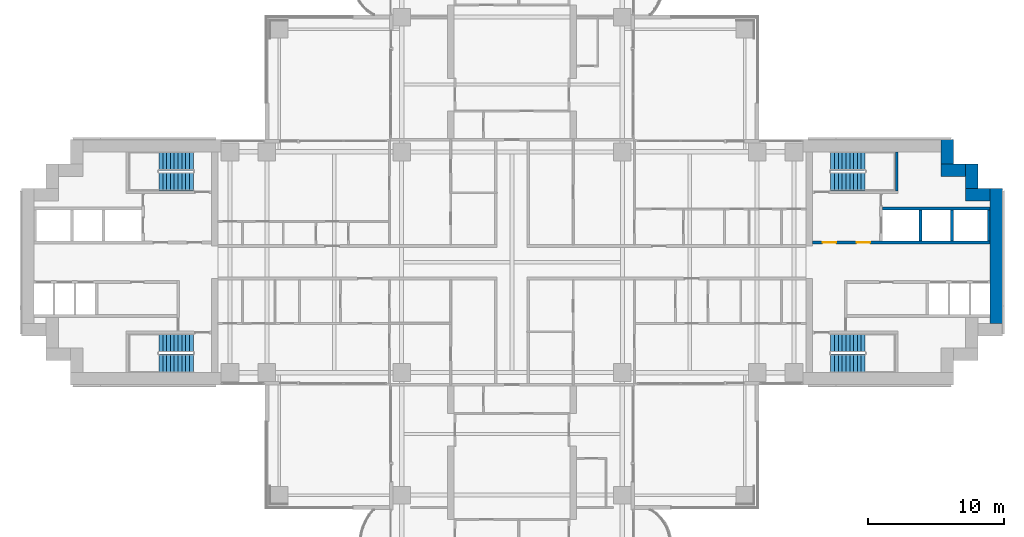
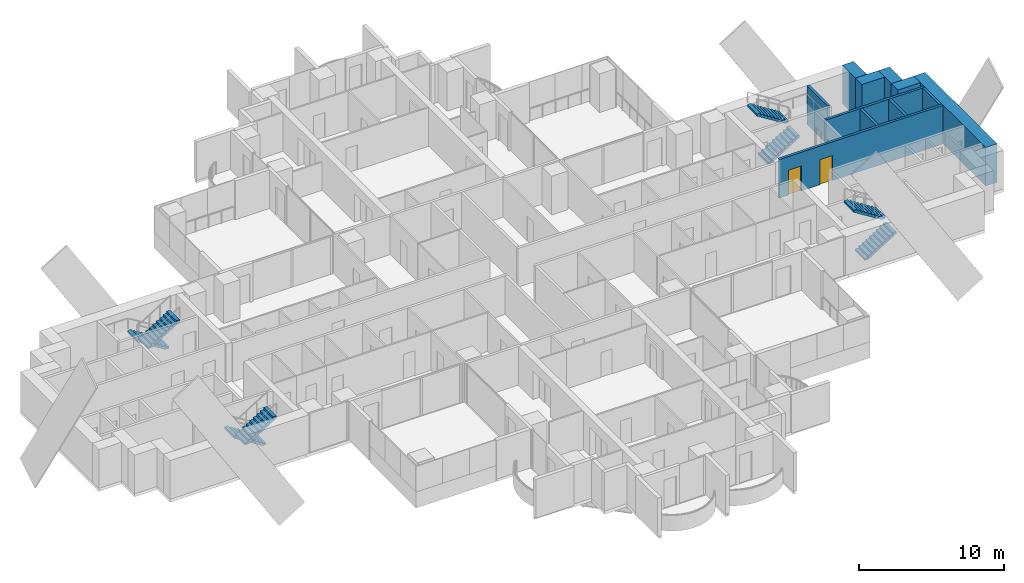
# One storey, part 17 of 22: 11 walls, 8 stair flights, 2 doors, 2 openings, 4 elements without a shape of their own.
"""IFC4 building model written with IfcOpenShell, lengths in metres."""

from ifc_helpers import new_model, si_unit, direction, frame, frame_2d, origin, place, context, subcontext, project, spatial, polyline, rectangle, outline, extrude, material, layer, layer_set, type_object, element, fill, aggregate, save


model = new_model("IFC4")

# Units and contexts
model_context = context("Model", 3, precision=1e-05, world=origin(), true_north=direction((0.0, 1.0)))
body_context = subcontext(model_context, "Body", "Model", "MODEL_VIEW")
ifc_project = project(units=[si_unit("LENGTHUNIT", "METRE"), si_unit("AREAUNIT", "SQUARE_METRE"), si_unit("VOLUMEUNIT", "CUBIC_METRE"), si_unit("PLANEANGLEUNIT", "RADIAN"), si_unit("MASSUNIT", "GRAM", prefix="KILO")], contexts=[model_context])

# Site, building, storey
site_placement = place(None, origin())
site = spatial("IfcSite", under=ifc_project, at=site_placement, CompositionType="ELEMENT")
building_placement = place(site_placement, origin())
building = spatial("IfcBuilding", under=site, at=building_placement, Name="Perihelion Cross Residences", CompositionType="ELEMENT")
storey_placement = place(building_placement, frame((0.0, 0.0, 50.5)))
storey = spatial("IfcBuildingStorey", under=building, at=storey_placement, Name="L09", CompositionType="ELEMENT", Elevation=50.5)

# Walls
ifc_material_1 = material(Name="Concrete C60/75", Category="concrete")
ifc_layer_1 = layer(ifc_material_1, 0.89990234375)
ifc_layer_set_1 = layer_set([ifc_layer_1], Name="Core wall, outer 900")
wall_type_1 = type_object("IfcWallType", Name="Core wall, outer 900", PredefinedType="SHEAR", material=ifc_layer_set_1)
wall_1_placement = place(storey_placement, frame((35.550048828125, -4.5, 0.0), z_axis=(0.0, 0.0, 1.0), x_axis=(0.0, 1.0, 0.0)))
element("IfcWall", 1, at=wall_1_placement, inside=storey, type_object=wall_type_1, Name="East core core wall, outer", PredefinedType="SHEAR", context=body_context, shape_type="SweptSolid", body=[
    extrude(rectangle(XDim=9.89990234375, YDim=0.89990234375, at=frame_2d((4.949951171875, 0.0))), origin(), (0.0, 0.0, 1.0), 3.25),
])
for number, where, z_axis, x_axis, name in (
    (2, (33.300048828125, 4.949951171875, 0.0), (0.0, 0.0, 1.0), (1.0, 0.0, 0.0), "East core core wall, outer"),
    (3, (33.75, 5.39990234375, 0.0), (0.0, 0.0, 1.0), (0.0, 1.0, 0.0), "East core core wall, outer"),
    (4, (31.5, 6.75, 0.0), (0.0, 0.0, 1.0), (1.0, 0.0, 0.0), "East core core wall, outer"),
    (5, (31.949951171875, 7.199951171875, 0.0), (0.0, 0.0, 1.0), (0.0, 1.0, 0.0), "East core core wall, outer"),
):
    element("IfcWall", number, at=place(storey_placement, frame(where, z_axis=z_axis, x_axis=x_axis)), inside=storey, type_object=wall_type_1, Name=name, PredefinedType="SHEAR", context=body_context, shape_type="SweptSolid", body=[
        extrude(rectangle(XDim=1.800048828125, YDim=0.89990234375, at=frame_2d((0.89990234375, 0.0))), origin(), (0.0, 0.0, 1.0), 3.25),
    ])

# Wall, openings, doors
ifc_material_2 = material(Name="Concrete C50/60", Category="concrete")
ifc_layer_2 = layer(ifc_material_2, 0.199951171875)
ifc_layer_set_2 = layer_set([ifc_layer_2], Name="Shaft wall 200")
wall_type_2 = type_object("IfcWallType", Name="Shaft wall 200", PredefinedType="SOLIDWALL", material=ifc_layer_set_2)
wall_2_placement = place(storey_placement, frame((22.050048828125, 1.449951171875, 0.0), z_axis=(0.0, 0.0, 1.0), x_axis=(1.0, 0.0, 0.0)))
wall_2 = element("IfcWall", 6, at=wall_2_placement, inside=storey, type_object=wall_type_2, Name="East core shaft wall", PredefinedType="SOLIDWALL", context=body_context, shape_type="SweptSolid", body=[
    extrude(rectangle(XDim=13.050048828125, YDim=0.199951171875, at=frame_2d((6.52490234375, 0.0))), origin(), (0.0, 0.0, 1.0), 3.25),
])
opening_1_placement = place(wall_2_placement, frame((0.75, 0.0, 0.0)))
opening_1 = element("IfcOpeningElement", 7, at=opening_1_placement, cuts=wall_2, Name="Opening L09.C07", PredefinedType="OPENING", context=body_context, shape_type="SweptSolid", body=[
    extrude(rectangle(XDim=1.0, YDim=2.10009765625, at=frame_2d((0.5, 1.050048828125))), frame((0.0, 0.10986328125, 0.0), z_axis=(0.0, -1.0, 0.0), x_axis=(1.0, 0.0, 0.0)), (0.0, 0.0, 1.0), 0.219970703125),
])
opening_2_placement = place(wall_2_placement, frame((3.25, 0.0, 0.0)))
opening_2 = element("IfcOpeningElement", 8, at=opening_2_placement, cuts=wall_2, Name="Opening L09.C09", PredefinedType="OPENING", context=body_context, shape_type="SweptSolid", body=[
    extrude(rectangle(XDim=1.0, YDim=2.10009765625, at=frame_2d((0.5, 1.050048828125))), frame((0.0, 0.10986328125, 0.0), z_axis=(0.0, -1.0, 0.0), x_axis=(1.0, 0.0, 0.0)), (0.0, 0.0, 1.0), 0.219970703125),
])
ifc_material_3 = material(Name="Steel, powder coated", Category="steel")
door_type = type_object("IfcDoorType", Name="Lobby door 1000", OperationType="SINGLE_SWING_LEFT", PredefinedType="DOOR", material=ifc_material_3)
door_1_placement = place(opening_1_placement, origin())
door_1 = element("IfcDoor", 9, at=door_1_placement, inside=storey, type_object=door_type, Name="East core firefighting lobby door", OperationType="SINGLE_SWING_LEFT", OverallHeight=2.10009765625, OverallWidth=1.0, PredefinedType="DOOR", context=body_context, shape_type="SweptSolid", body=[
    extrude(rectangle(XDim=1.0, YDim=2.10009765625, at=frame_2d((0.5, 1.050048828125))), frame((0.0, 0.02490234375, 0.0), z_axis=(0.0, -1.0, 0.0), x_axis=(1.0, 0.0, 0.0)), (0.0, 0.0, 1.0), 0.050048828125),
])
fill(opening_1, door_1)
door_2_placement = place(opening_2_placement, origin())
door_2 = element("IfcDoor", 10, at=door_2_placement, inside=storey, type_object=door_type, Name="East core firefighting lobby door", OperationType="SINGLE_SWING_LEFT", OverallHeight=2.10009765625, OverallWidth=1.0, PredefinedType="DOOR", context=body_context, shape_type="SweptSolid", body=[
    extrude(rectangle(XDim=1.0, YDim=2.10009765625, at=frame_2d((0.5, 1.050048828125))), frame((0.0, 0.02490234375, 0.0), z_axis=(0.0, -1.0, 0.0), x_axis=(1.0, 0.0, 0.0)), (0.0, 0.0, 1.0), 0.050048828125),
])
fill(opening_2, door_2)

# Walls
wall_3_placement = place(storey_placement, frame((27.199951171875, 3.949951171875, 0.0), z_axis=(0.0, 0.0, 1.0), x_axis=(1.0, 0.0, 0.0)))
element("IfcWall", 11, at=wall_3_placement, inside=storey, type_object=wall_type_2, Name="East core shaft wall", PredefinedType="SOLIDWALL", context=body_context, shape_type="SweptSolid", body=[
    extrude(rectangle(XDim=7.900146484375, YDim=0.199951171875, at=frame_2d((3.9501953125, 0.0))), origin(), (0.0, 0.0, 1.0), 3.25),
])
for number, where, z_axis, x_axis, name in (
    (12, (30.0, 1.550048828125, 0.0), (0.0, 0.0, 1.0), (0.0, 1.0, 0.0), "East core shaft wall"),
    (13, (32.300048828125, 1.550048828125, 0.0), (0.0, 0.0, 1.0), (0.0, 1.0, 0.0), "East core shaft wall"),
    (14, (35.0, 1.550048828125, 0.0), (0.0, 0.0, 1.0), (0.0, 1.0, 0.0), "East core shaft wall"),
):
    element("IfcWall", number, at=place(storey_placement, frame(where, z_axis=z_axis, x_axis=x_axis)), inside=storey, type_object=wall_type_2, Name=name, PredefinedType="SOLIDWALL", context=body_context, shape_type="SweptSolid", body=[
        extrude(rectangle(XDim=2.300048828125, YDim=0.199951171875, at=frame_2d((1.14990234375, 0.0))), origin(), (0.0, 0.0, 1.0), 3.25),
    ])
ifc_material_4 = material(Name="Concrete C50/60", Category="concrete")
ifc_layer_3 = layer(ifc_material_4, 0.199951171875)
ifc_layer_set_3 = layer_set([ifc_layer_3], Name="Stair wall 200")
wall_type_3 = type_object("IfcWallType", Name="Stair wall 200", PredefinedType="SOLIDWALL", material=ifc_layer_set_3)
wall_4_placement = place(storey_placement, frame((28.25, 5.25, 0.0), z_axis=(0.0, 0.0, 1.0), x_axis=(0.0, 1.0, 0.0)))
element("IfcWall", 15, at=wall_4_placement, inside=storey, type_object=wall_type_3, Name="East core stair wall", PredefinedType="SOLIDWALL", context=body_context, shape_type="SweptSolid", body=[
    extrude(rectangle(XDim=2.85009765625, YDim=0.199951171875, at=frame_2d((1.425048828125, 0.0))), origin(), (0.0, 0.0, 1.0), 3.25),
])

# Stair, stair flights
ifc_material_5 = material(Name="Concrete C40/50", Category="concrete")
stair_type = type_object("IfcStairType", Name="Exit stair, half-turn", PredefinedType="HALF_TURN_STAIR", material=ifc_material_5)
stair_1_placement = place(storey_placement, origin())
stair_1 = element("IfcStair", 16, at=stair_1_placement, inside=storey, type_object=stair_type, Name="L09 East core exit stair 1", PredefinedType="HALF_TURN_STAIR")
ifc_material_6 = material(Name="Concrete C40/50", Category="concrete")
stair_flight_type = type_object("IfcStairFlightType", Name="Exit stair flight", PredefinedType="STRAIGHT", material=ifc_material_6)
stair_flight_1_placement = place(storey_placement, frame((23.39990234375, 5.925048828125, 0.0), z_axis=(0.0, 0.0, 1.0), x_axis=(1.0, 0.0, 0.0)))
stair_flight_1 = element("IfcStairFlight", 17, at=stair_flight_1_placement, type_object=stair_flight_type, Name="ST-E1 flight 1", NumberOfRisers=10, NumberOfTreads=9, PredefinedType="STRAIGHT", RiserHeight=0.175, TreadLength=0.28, context=body_context, shape_type="SweptSolid", body=[
    extrude(outline(polyline([(0.0, 0.0), (0.0, 0.175048828125), (0.280029296875, 0.175048828125), (0.280029296875, 0.35009765625), (0.56005859375, 0.35009765625), (0.56005859375, 0.52490234375), (0.840087890625, 0.52490234375), (0.840087890625, 0.699951171875), (1.1201171875, 0.699951171875), (1.1201171875, 0.875), (1.39990234375, 0.875), (1.39990234375, 1.050048828125), (1.679931640625, 1.050048828125), (1.679931640625, 1.22509765625), (1.9599609375, 1.22509765625), (1.9599609375, 1.39990234375), (2.239990234375, 1.39990234375), (2.239990234375, 1.574951171875), (2.52001953125, 1.574951171875), (2.52001953125, 1.75), (2.52001953125, 1.398193359375), (0.28271484375, 0.0), (0.0, 0.0)])), frame((0.0, 0.675048828125, 0.0), z_axis=(0.0, -1.0, 0.0), x_axis=(1.0, 0.0, 0.0)), (0.0, 0.0, 1.0), 1.35009765625),
])
stair_flight_2_placement = place(storey_placement, frame((25.919921875, 7.425048828125, 1.75), z_axis=(0.0, 0.0, 1.0), x_axis=(-1.0, 0.0, 0.0)))
stair_flight_2 = element("IfcStairFlight", 18, at=stair_flight_2_placement, type_object=stair_flight_type, Name="ST-E1 flight 2", NumberOfRisers=10, NumberOfTreads=9, PredefinedType="STRAIGHT", RiserHeight=0.175, TreadLength=0.28, context=body_context, shape_type="SweptSolid", body=[
    extrude(outline(polyline([(0.0, 0.0), (0.0, 0.175048828125), (0.280029296875, 0.175048828125), (0.280029296875, 0.35009765625), (0.56005859375, 0.35009765625), (0.56005859375, 0.52490234375), (0.840087890625, 0.52490234375), (0.840087890625, 0.699951171875), (1.1201171875, 0.699951171875), (1.1201171875, 0.875), (1.39990234375, 0.875), (1.39990234375, 1.050048828125), (1.679931640625, 1.050048828125), (1.679931640625, 1.22509765625), (1.9599609375, 1.22509765625), (1.9599609375, 1.39990234375), (2.239990234375, 1.39990234375), (2.239990234375, 1.574951171875), (2.52001953125, 1.574951171875), (2.52001953125, 1.75), (2.52001953125, 1.398193359375), (0.28271484375, 0.0), (0.0, 0.0)])), frame((0.0, 0.675048828125, 0.0), z_axis=(0.0, -1.0, 0.0), x_axis=(1.0, 0.0, 0.0)), (0.0, 0.0, 1.0), 1.35009765625),
])
aggregate(stair_1, [stair_flight_1, stair_flight_2])

stair_2_placement = place(storey_placement, origin())
stair_2 = element("IfcStair", 19, at=stair_2_placement, inside=storey, type_object=stair_type, Name="L09 East core exit stair 2", PredefinedType="HALF_TURN_STAIR")
stair_flight_3_placement = place(storey_placement, frame((23.39990234375, -7.425048828125, 0.0), z_axis=(0.0, 0.0, 1.0), x_axis=(1.0, 0.0, 0.0)))
stair_flight_3 = element("IfcStairFlight", 20, at=stair_flight_3_placement, type_object=stair_flight_type, Name="ST-E2 flight 1", NumberOfRisers=10, NumberOfTreads=9, PredefinedType="STRAIGHT", RiserHeight=0.175, TreadLength=0.28, context=body_context, shape_type="SweptSolid", body=[
    extrude(outline(polyline([(0.0, 0.0), (0.0, 0.175048828125), (0.280029296875, 0.175048828125), (0.280029296875, 0.35009765625), (0.56005859375, 0.35009765625), (0.56005859375, 0.52490234375), (0.840087890625, 0.52490234375), (0.840087890625, 0.699951171875), (1.1201171875, 0.699951171875), (1.1201171875, 0.875), (1.39990234375, 0.875), (1.39990234375, 1.050048828125), (1.679931640625, 1.050048828125), (1.679931640625, 1.22509765625), (1.9599609375, 1.22509765625), (1.9599609375, 1.39990234375), (2.239990234375, 1.39990234375), (2.239990234375, 1.574951171875), (2.52001953125, 1.574951171875), (2.52001953125, 1.75), (2.52001953125, 1.398193359375), (0.28271484375, 0.0), (0.0, 0.0)])), frame((0.0, 0.675048828125, 0.0), z_axis=(0.0, -1.0, 0.0), x_axis=(1.0, 0.0, 0.0)), (0.0, 0.0, 1.0), 1.35009765625),
])
stair_flight_4_placement = place(storey_placement, frame((25.919921875, -5.925048828125, 1.75), z_axis=(0.0, 0.0, 1.0), x_axis=(-1.0, 0.0, 0.0)))
stair_flight_4 = element("IfcStairFlight", 21, at=stair_flight_4_placement, type_object=stair_flight_type, Name="ST-E2 flight 2", NumberOfRisers=10, NumberOfTreads=9, PredefinedType="STRAIGHT", RiserHeight=0.175, TreadLength=0.28, context=body_context, shape_type="SweptSolid", body=[
    extrude(outline(polyline([(0.0, 0.0), (0.0, 0.175048828125), (0.280029296875, 0.175048828125), (0.280029296875, 0.35009765625), (0.56005859375, 0.35009765625), (0.56005859375, 0.52490234375), (0.840087890625, 0.52490234375), (0.840087890625, 0.699951171875), (1.1201171875, 0.699951171875), (1.1201171875, 0.875), (1.39990234375, 0.875), (1.39990234375, 1.050048828125), (1.679931640625, 1.050048828125), (1.679931640625, 1.22509765625), (1.9599609375, 1.22509765625), (1.9599609375, 1.39990234375), (2.239990234375, 1.39990234375), (2.239990234375, 1.574951171875), (2.52001953125, 1.574951171875), (2.52001953125, 1.75), (2.52001953125, 1.398193359375), (0.28271484375, 0.0), (0.0, 0.0)])), frame((0.0, 0.675048828125, 0.0), z_axis=(0.0, -1.0, 0.0), x_axis=(1.0, 0.0, 0.0)), (0.0, 0.0, 1.0), 1.35009765625),
])
aggregate(stair_2, [stair_flight_3, stair_flight_4])

stair_3_placement = place(storey_placement, origin())
stair_3 = element("IfcStair", 22, at=stair_3_placement, inside=storey, type_object=stair_type, Name="L09 West core exit stair 1", PredefinedType="HALF_TURN_STAIR")
stair_flight_5_placement = place(storey_placement, frame((-23.39990234375, 7.425048828125, 0.0), z_axis=(0.0, 0.0, 1.0), x_axis=(-1.0, 0.0, 0.0)))
stair_flight_5 = element("IfcStairFlight", 23, at=stair_flight_5_placement, type_object=stair_flight_type, Name="ST-W1 flight 1", NumberOfRisers=10, NumberOfTreads=9, PredefinedType="STRAIGHT", RiserHeight=0.175, TreadLength=0.28, context=body_context, shape_type="SweptSolid", body=[
    extrude(outline(polyline([(0.0, 0.0), (0.0, 0.175048828125), (0.280029296875, 0.175048828125), (0.280029296875, 0.35009765625), (0.56005859375, 0.35009765625), (0.56005859375, 0.52490234375), (0.840087890625, 0.52490234375), (0.840087890625, 0.699951171875), (1.1201171875, 0.699951171875), (1.1201171875, 0.875), (1.39990234375, 0.875), (1.39990234375, 1.050048828125), (1.679931640625, 1.050048828125), (1.679931640625, 1.22509765625), (1.9599609375, 1.22509765625), (1.9599609375, 1.39990234375), (2.239990234375, 1.39990234375), (2.239990234375, 1.574951171875), (2.52001953125, 1.574951171875), (2.52001953125, 1.75), (2.52001953125, 1.398193359375), (0.28271484375, 0.0), (0.0, 0.0)])), frame((0.0, 0.675048828125, 0.0), z_axis=(0.0, -1.0, 0.0), x_axis=(1.0, 0.0, 0.0)), (0.0, 0.0, 1.0), 1.35009765625),
])
stair_flight_6_placement = place(storey_placement, frame((-25.919921875, 5.925048828125, 1.75), z_axis=(0.0, 0.0, 1.0), x_axis=(1.0, 0.0, 0.0)))
stair_flight_6 = element("IfcStairFlight", 24, at=stair_flight_6_placement, type_object=stair_flight_type, Name="ST-W1 flight 2", NumberOfRisers=10, NumberOfTreads=9, PredefinedType="STRAIGHT", RiserHeight=0.175, TreadLength=0.28, context=body_context, shape_type="SweptSolid", body=[
    extrude(outline(polyline([(0.0, 0.0), (0.0, 0.175048828125), (0.280029296875, 0.175048828125), (0.280029296875, 0.35009765625), (0.56005859375, 0.35009765625), (0.56005859375, 0.52490234375), (0.840087890625, 0.52490234375), (0.840087890625, 0.699951171875), (1.1201171875, 0.699951171875), (1.1201171875, 0.875), (1.39990234375, 0.875), (1.39990234375, 1.050048828125), (1.679931640625, 1.050048828125), (1.679931640625, 1.22509765625), (1.9599609375, 1.22509765625), (1.9599609375, 1.39990234375), (2.239990234375, 1.39990234375), (2.239990234375, 1.574951171875), (2.52001953125, 1.574951171875), (2.52001953125, 1.75), (2.52001953125, 1.398193359375), (0.28271484375, 0.0), (0.0, 0.0)])), frame((0.0, 0.675048828125, 0.0), z_axis=(0.0, -1.0, 0.0), x_axis=(1.0, 0.0, 0.0)), (0.0, 0.0, 1.0), 1.35009765625),
])
aggregate(stair_3, [stair_flight_5, stair_flight_6])

stair_4_placement = place(storey_placement, origin())
stair_4 = element("IfcStair", 25, at=stair_4_placement, inside=storey, type_object=stair_type, Name="L09 West core exit stair 2", PredefinedType="HALF_TURN_STAIR")
stair_flight_7_placement = place(storey_placement, frame((-23.39990234375, -5.925048828125, 0.0), z_axis=(0.0, 0.0, 1.0), x_axis=(-1.0, 0.0, 0.0)))
stair_flight_7 = element("IfcStairFlight", 26, at=stair_flight_7_placement, type_object=stair_flight_type, Name="ST-W2 flight 1", NumberOfRisers=10, NumberOfTreads=9, PredefinedType="STRAIGHT", RiserHeight=0.175, TreadLength=0.28, context=body_context, shape_type="SweptSolid", body=[
    extrude(outline(polyline([(0.0, 0.0), (0.0, 0.175048828125), (0.280029296875, 0.175048828125), (0.280029296875, 0.35009765625), (0.56005859375, 0.35009765625), (0.56005859375, 0.52490234375), (0.840087890625, 0.52490234375), (0.840087890625, 0.699951171875), (1.1201171875, 0.699951171875), (1.1201171875, 0.875), (1.39990234375, 0.875), (1.39990234375, 1.050048828125), (1.679931640625, 1.050048828125), (1.679931640625, 1.22509765625), (1.9599609375, 1.22509765625), (1.9599609375, 1.39990234375), (2.239990234375, 1.39990234375), (2.239990234375, 1.574951171875), (2.52001953125, 1.574951171875), (2.52001953125, 1.75), (2.52001953125, 1.398193359375), (0.28271484375, 0.0), (0.0, 0.0)])), frame((0.0, 0.675048828125, 0.0), z_axis=(0.0, -1.0, 0.0), x_axis=(1.0, 0.0, 0.0)), (0.0, 0.0, 1.0), 1.35009765625),
])
stair_flight_8_placement = place(storey_placement, frame((-25.919921875, -7.425048828125, 1.75), z_axis=(0.0, 0.0, 1.0), x_axis=(1.0, 0.0, 0.0)))
stair_flight_8 = element("IfcStairFlight", 27, at=stair_flight_8_placement, type_object=stair_flight_type, Name="ST-W2 flight 2", NumberOfRisers=10, NumberOfTreads=9, PredefinedType="STRAIGHT", RiserHeight=0.175, TreadLength=0.28, context=body_context, shape_type="SweptSolid", body=[
    extrude(outline(polyline([(0.0, 0.0), (0.0, 0.175048828125), (0.280029296875, 0.175048828125), (0.280029296875, 0.35009765625), (0.56005859375, 0.35009765625), (0.56005859375, 0.52490234375), (0.840087890625, 0.52490234375), (0.840087890625, 0.699951171875), (1.1201171875, 0.699951171875), (1.1201171875, 0.875), (1.39990234375, 0.875), (1.39990234375, 1.050048828125), (1.679931640625, 1.050048828125), (1.679931640625, 1.22509765625), (1.9599609375, 1.22509765625), (1.9599609375, 1.39990234375), (2.239990234375, 1.39990234375), (2.239990234375, 1.574951171875), (2.52001953125, 1.574951171875), (2.52001953125, 1.75), (2.52001953125, 1.398193359375), (0.28271484375, 0.0), (0.0, 0.0)])), frame((0.0, 0.675048828125, 0.0), z_axis=(0.0, -1.0, 0.0), x_axis=(1.0, 0.0, 0.0)), (0.0, 0.0, 1.0), 1.35009765625),
])
aggregate(stair_4, [stair_flight_7, stair_flight_8])

save(model, "model.ifc")
